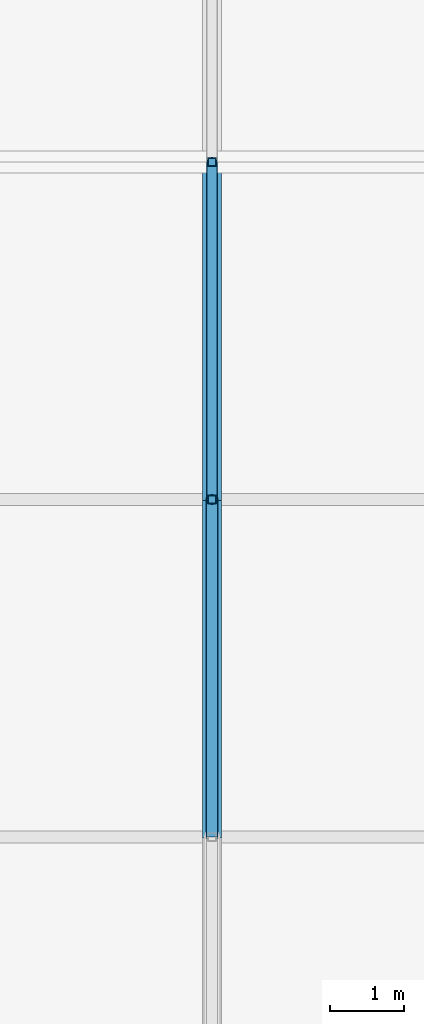
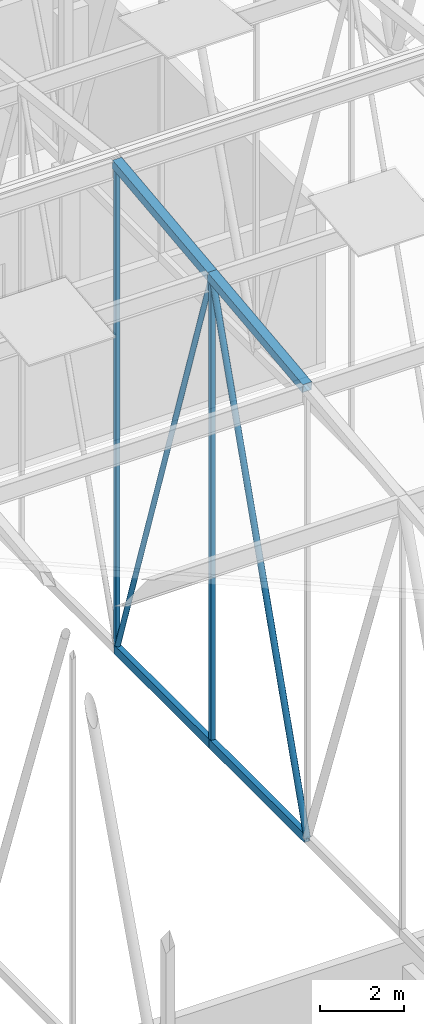
# One storey, part 85 of 500: 8 members.
"""IFC4 building model written with IfcOpenShell, lengths in metres."""

from ifc_helpers import new_model, si_unit, direction, frame, origin, origin_2d, place, context, subcontext, project, spatial, hollow_rectangle, hollow_circle, extrude, material, material_profile, profile_set, type_object, element, save


model = new_model("IFC4")

# Units and contexts
model_context = context("Model", 3, precision=1e-05, world=origin(), true_north=direction((0.0, 1.0)))
body_context = subcontext(model_context, "Body", "Model", "MODEL_VIEW")
ifc_project = project(units=[si_unit("LENGTHUNIT", "METRE"), si_unit("AREAUNIT", "SQUARE_METRE"), si_unit("VOLUMEUNIT", "CUBIC_METRE"), si_unit("PLANEANGLEUNIT", "RADIAN"), si_unit("MASSUNIT", "GRAM", prefix="KILO")], contexts=[model_context])

# Site, building, storey
site_placement = place(None, origin())
site = spatial("IfcSite", under=ifc_project, at=site_placement, CompositionType="ELEMENT")
building_placement = place(site_placement, origin())
building = spatial("IfcBuilding", under=site, at=building_placement, Name="Shirokan Park Arena", CompositionType="ELEMENT")
storey_placement = place(building_placement, frame((0.0, 0.0, 29.1201171875)))
storey = spatial("IfcBuildingStorey", under=building, at=storey_placement, Name="L06", CompositionType="ELEMENT", Elevation=29.1201171875)

# Members
ifc_material = material(Name="Steel ASTM A500 Grade C", Category="steel")
ifc_material_profile_1 = material_profile(ifc_material, hollow_rectangle(XDim=0.152099609375, YDim=0.25390625, WallThickness=0.009521484375, at=origin_2d()), Name="HSS254X152.4X9.5")
ifc_profile_set_1 = profile_set([ifc_material_profile_1], Name="Steel ASTM A500 Grade C")
member_type_1 = type_object("IfcMemberType", Name="Bottom chord HSS254X152.4X9.5", PredefinedType="CHORD", material=ifc_profile_set_1)
for number, where, z_axis, x_axis, name in (
    (1, (27.300048828125, 45.5, 4.677001953125), (0.0, 1.0, 0.0), (-1.0, 0.0, 0.0), "Truss T04 bottom chord 13"),
    (2, (27.300048828125, 50.050048828125, 4.677001953125), (0.0, 1.0, 0.0), (-1.0, 0.0, 0.0), "Truss T04 bottom chord 14"),
):
    element("IfcMember", number, at=place(storey_placement, frame(where, z_axis=z_axis, x_axis=x_axis)), inside=storey, type_object=member_type_1, Name=name, PredefinedType="CHORD", context=body_context, shape_type="SweptSolid", body=[
        extrude(hollow_rectangle(XDim=0.152099609375, YDim=0.25390625, WallThickness=0.009521484375, at=origin_2d()), origin(), (0.0, 0.0, 1.0), 4.550048828125),
    ])
ifc_material_profile_2 = material_profile(ifc_material, hollow_rectangle(XDim=0.25390625, YDim=0.25390625, WallThickness=0.009521484375, at=origin_2d()), Name="HSS254X254X9.5")
ifc_profile_set_2 = profile_set([ifc_material_profile_2], Name="Steel ASTM A500 Grade C")
member_type_2 = type_object("IfcMemberType", Name="Top chord HSS254X254X9.5", PredefinedType="CHORD", material=ifc_profile_set_2)
for number, where, z_axis, x_axis, name in (
    (3, (27.300048828125, 45.5, 17.822998046875), (0.0, 0.993538341779, 0.113496975353), (-1.0, 0.0, 0.0), "Truss T04 top chord 13"),
    (4, (27.300048828125, 50.050048828125, 18.3427734375), (0.0, 0.993532328996, 0.113549598152), (-1.0, 0.0, 0.0), "Truss T04 top chord 14"),
):
    element("IfcMember", number, at=place(storey_placement, frame(where, z_axis=z_axis, x_axis=x_axis)), inside=storey, type_object=member_type_2, Name=name, PredefinedType="CHORD", context=body_context, shape_type="SweptSolid", body=[
        extrude(hollow_rectangle(XDim=0.25390625, YDim=0.25390625, WallThickness=0.009521484375, at=origin_2d()), origin(), (0.0, 0.0, 1.0), 4.57958984375),
    ])
ifc_material_profile_3 = material_profile(ifc_material, hollow_circle(Radius=0.070556640625, WallThickness=0.006591796875, at=origin_2d()), Name="HSS141.3X6.6")
ifc_profile_set_3 = profile_set([ifc_material_profile_3], Name="Steel ASTM A500 Grade C")
member_type_3 = type_object("IfcMemberType", Name="Truss diagonal HSS141.3X6.6", PredefinedType="BRACE", material=ifc_profile_set_3)
member_1_placement = place(storey_placement, frame((27.300048828125, 50.050048828125, 18.3427734375), z_axis=(0.0, 0.315902302102, -0.948791723998), x_axis=(-1.0, 0.0, 0.0)))
element("IfcMember", 5, at=member_1_placement, inside=storey, type_object=member_type_3, Name="Truss T04 diagonal 14", PredefinedType="BRACE", context=body_context, shape_type="SweptSolid", body=[
    extrude(hollow_circle(Radius=0.070556640625, WallThickness=0.006591796875, at=origin_2d()), origin(), (0.0, 0.0, 1.0), 14.4033203125),
])
ifc_material_profile_4 = material_profile(ifc_material, hollow_circle(Radius=0.083984375, WallThickness=0.009521484375, at=origin_2d()), Name="HSS168.3X9.5")
ifc_profile_set_4 = profile_set([ifc_material_profile_4], Name="Steel ASTM A500 Grade C")
member_type_4 = type_object("IfcMemberType", Name="Truss diagonal HSS168.3X9.5", PredefinedType="BRACE", material=ifc_profile_set_4)
member_2_placement = place(storey_placement, frame((27.300048828125, 45.5, 4.677001953125), z_axis=(0.0, 0.315902302102, 0.948791723998), x_axis=(-1.0, 0.0, 0.0)))
element("IfcMember", 6, at=member_2_placement, inside=storey, type_object=member_type_4, Name="Truss T04 diagonal 13", PredefinedType="BRACE", context=body_context, shape_type="SweptSolid", body=[
    extrude(hollow_circle(Radius=0.083984375, WallThickness=0.009521484375, at=origin_2d()), origin(), (0.0, 0.0, 1.0), 14.4033203125),
])
ifc_material_profile_5 = material_profile(ifc_material, hollow_rectangle(XDim=0.114013671875, YDim=0.114013671875, WallThickness=0.00634765625, at=origin_2d()), Name="HSS114.3X114.3X6.4")
ifc_profile_set_5 = profile_set([ifc_material_profile_5], Name="Steel ASTM A500 Grade C")
member_type_5 = type_object("IfcMemberType", Name="Truss post HSS114.3X114.3X6.4", PredefinedType="POST", material=ifc_profile_set_5)
member_3_placement = place(storey_placement, frame((27.300048828125, 50.050048828125, 4.677001953125), z_axis=(0.0, 0.0, 1.0), x_axis=(1.0, 0.0, 0.0)))
element("IfcMember", 7, at=member_3_placement, inside=storey, type_object=member_type_5, Name="Truss T04 post 14", PredefinedType="POST", context=body_context, shape_type="SweptSolid", body=[
    extrude(hollow_rectangle(XDim=0.114013671875, YDim=0.114013671875, WallThickness=0.00634765625, at=origin_2d()), origin(), (0.0, 0.0, 1.0), 13.665771484375),
])
member_4_placement = place(storey_placement, frame((27.300048828125, 54.60009765625, 4.677001953125), z_axis=(0.0, 0.0, 1.0), x_axis=(1.0, 0.0, 0.0)))
element("IfcMember", 8, at=member_4_placement, inside=storey, type_object=member_type_5, Name="Truss T04 post 15", PredefinedType="POST", context=body_context, shape_type="SweptSolid", body=[
    extrude(hollow_rectangle(XDim=0.114013671875, YDim=0.114013671875, WallThickness=0.00634765625, at=origin_2d()), origin(), (0.0, 0.0, 1.0), 14.185791015625),
])

save(model, "model.ifc")
